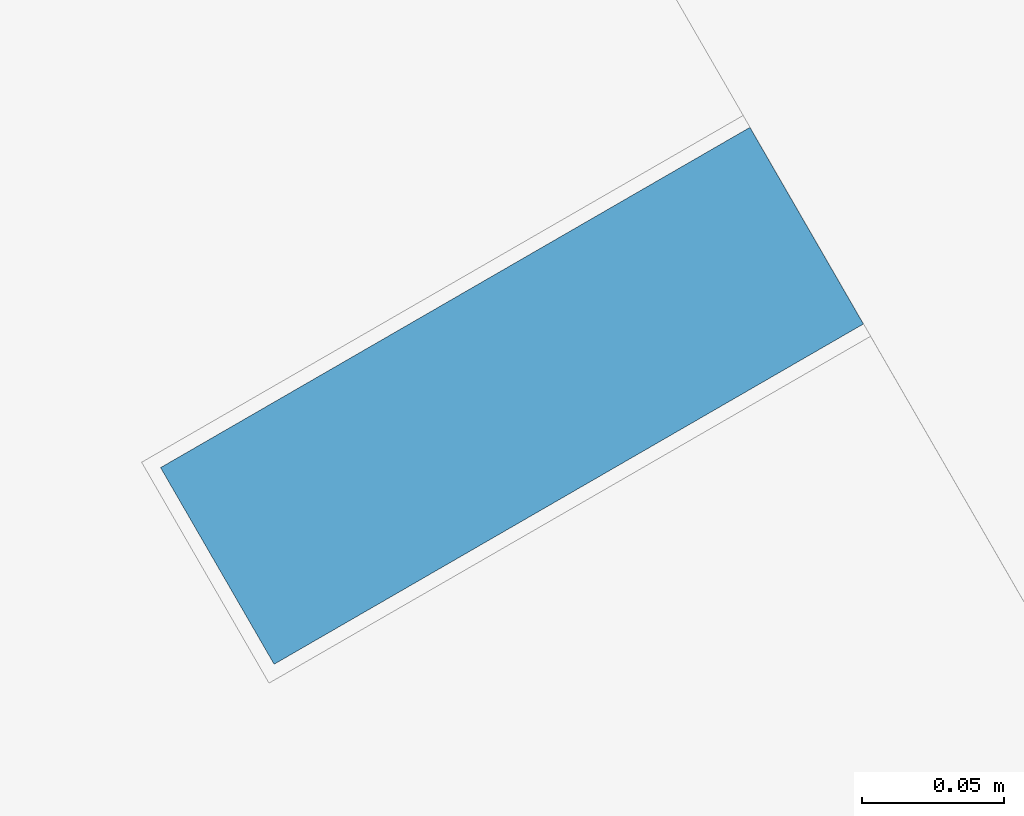
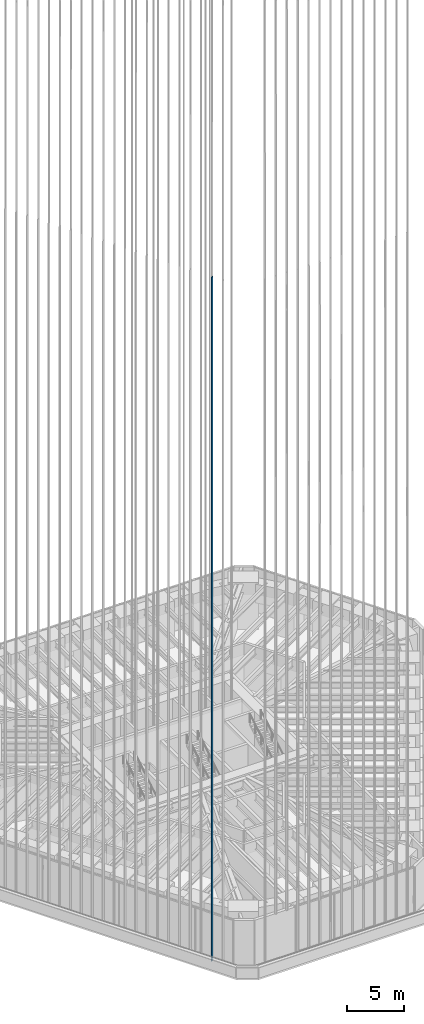
# One storey, part 22 of 228: 1 member, 1 element without a shape of its own.
"""IFC4 building model written with IfcOpenShell, lengths in metres."""

from ifc_helpers import new_model, si_unit, direction, frame, origin, origin_2d, place, context, subcontext, project, spatial, rectangle, extrude, material, material_profile, profile_set, type_object, element, aggregate, save


model = new_model("IFC4")

# Units and contexts
model_context = context("Model", 3, precision=1e-05, world=origin(), true_north=direction((0.0, 1.0)))
body_context = subcontext(model_context, "Body", "Model", "MODEL_VIEW")
ifc_project = project(units=[si_unit("LENGTHUNIT", "METRE"), si_unit("AREAUNIT", "SQUARE_METRE"), si_unit("VOLUMEUNIT", "CUBIC_METRE"), si_unit("PLANEANGLEUNIT", "RADIAN"), si_unit("MASSUNIT", "GRAM", prefix="KILO")], contexts=[model_context])

# Site, building, storey
site_placement = place(None, origin())
site = spatial("IfcSite", under=ifc_project, at=site_placement, CompositionType="ELEMENT")
building_placement = place(site_placement, origin())
building = spatial("IfcBuilding", under=site, at=building_placement, Name="Sandreach Pilgrim Tower", CompositionType="ELEMENT")
storey_placement = place(building_placement, frame((0.0, 0.0, 178.199951171875)))
storey = spatial("IfcBuildingStorey", under=building, at=storey_placement, Name="L44", CompositionType="ELEMENT", Elevation=178.199951171875)

# Curtain wall, member
ifc_material_1 = material(Name="Aluminium framed curtain wall", Category="aluminium")
curtain_wall_type = type_object("IfcCurtainWallType", Name="Upper hotel tower curtain wall", PredefinedType="NOTDEFINED", material=ifc_material_1)
curtain_wall_placement = place(storey_placement, origin())
curtain_wall = element("IfcCurtainWall", 1, at=curtain_wall_placement, inside=storey, type_object=curtain_wall_type, Name="CW-3 L44 SW", PredefinedType="NOTDEFINED")
ifc_material_2 = material(Name="Extruded terracotta on aluminium core", Category="masonry")
ifc_material_profile = material_profile(ifc_material_2, rectangle(XDim=0.080078125, YDim=0.239990234375, at=origin_2d()), Name="TBW 80X240")
ifc_profile_set = profile_set([ifc_material_profile], Name="Extruded terracotta on aluminium core")
member_type = type_object("IfcMemberType", Name="Terracotta baguette west", PredefinedType="USERDEFINED", material=ifc_profile_set)
member_placement = place(storey_placement, frame((-10.974853515625, -24.1513671875, 0.0), z_axis=(0.0, 0.0, 1.0), x_axis=(-0.5, 0.866025403784, 0.0)))
member = element("IfcMember", 2, at=member_placement, type_object=member_type, Name="Baguette Z3 SW02", ObjectType="BAGUETTE", PredefinedType="USERDEFINED", context=body_context, shape_type="SweptSolid", body=[
    extrude(rectangle(XDim=0.080078125, YDim=0.239990234375, at=origin_2d()), origin(), (0.0, 0.0, 1.0), 73.239990234375),
])
aggregate(curtain_wall, [member])

save(model, "model.ifc")
